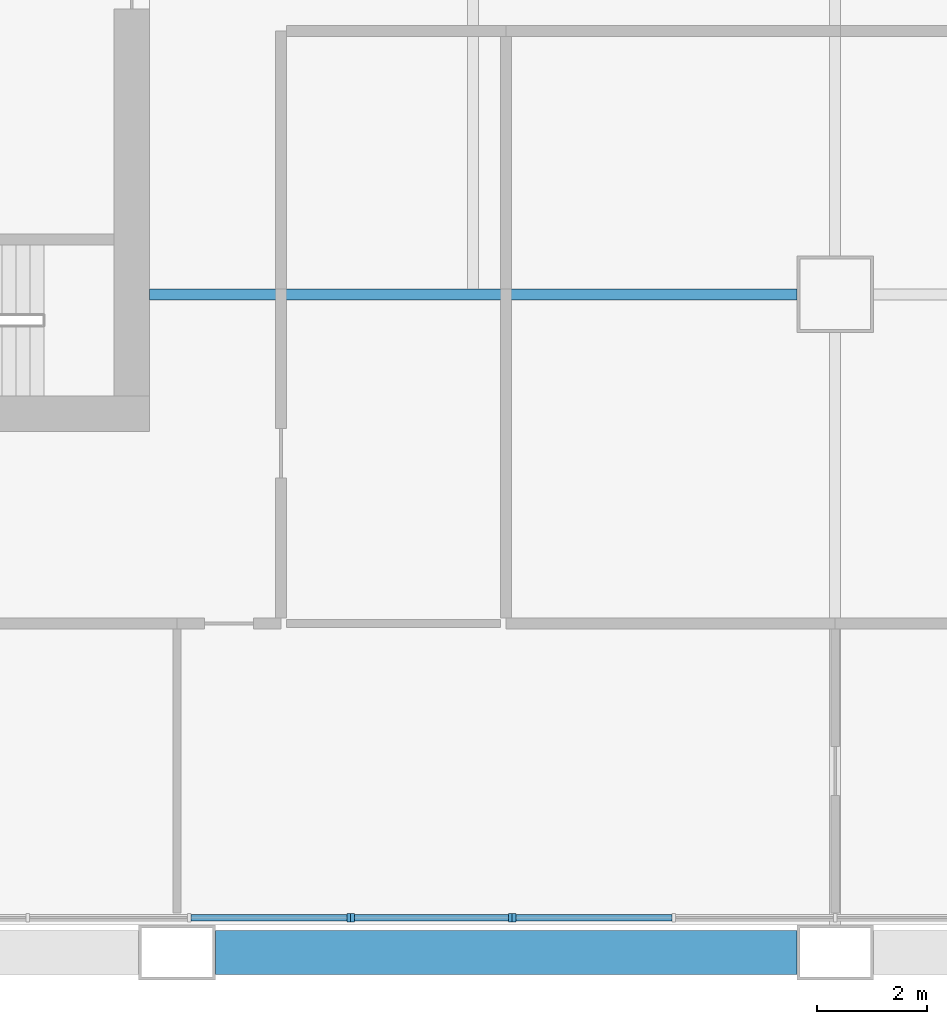
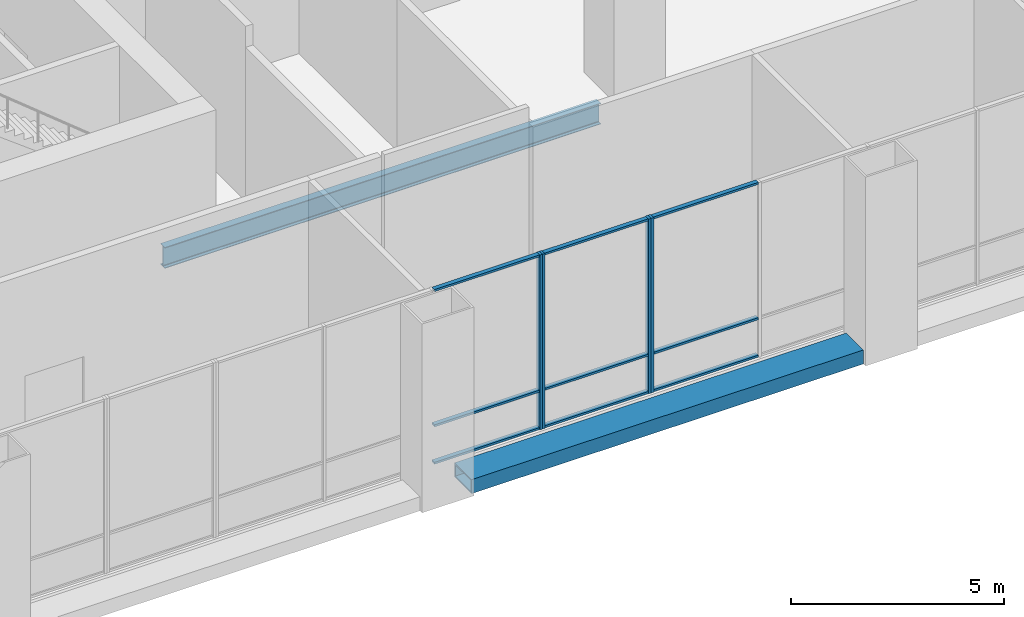
# One storey, part 3 of 20: 13 members, 2 beams, 3 elements without a shape of their own.
"""IFC4 building model written with IfcOpenShell, lengths in metres."""

from ifc_helpers import new_model, si_unit, direction, frame, origin, origin_2d, place, context, subcontext, project, spatial, rectangle, hollow_rectangle, i_section, extrude, material, material_profile, profile_set, type_object, element, aggregate, save


model = new_model("IFC4")

# Units and contexts
model_context = context("Model", 3, precision=1e-05, world=origin(), true_north=direction((0.0, 1.0)))
body_context = subcontext(model_context, "Body", "Model", "MODEL_VIEW")
ifc_project = project(units=[si_unit("LENGTHUNIT", "METRE"), si_unit("AREAUNIT", "SQUARE_METRE"), si_unit("VOLUMEUNIT", "CUBIC_METRE"), si_unit("PLANEANGLEUNIT", "RADIAN"), si_unit("MASSUNIT", "GRAM", prefix="KILO")], contexts=[model_context])

# Site, building, storey
site_placement = place(None, origin())
site = spatial("IfcSite", under=ifc_project, at=site_placement, CompositionType="ELEMENT")
building_placement = place(site_placement, origin())
building = spatial("IfcBuilding", under=site, at=building_placement, Name="Kitamizu Gate Tower and Museum", CompositionType="ELEMENT")
storey_placement = place(building_placement, frame((0.0, 0.0, 148.35009765625)))
storey = spatial("IfcBuildingStorey", under=building, at=storey_placement, Name="L39", CompositionType="ELEMENT", Elevation=148.35009765625)

# Beams
ifc_material_1 = material(Name="Steel SM490A bronze coated", Category="steel")
ifc_material_profile_1 = material_profile(ifc_material_1, hollow_rectangle(XDim=0.800048828125, YDim=0.39990234375, WallThickness=0.0400390625, at=origin_2d()), Name="BOX 800x400x40")
ifc_profile_set_1 = profile_set([ifc_material_profile_1], Name="Steel SM490A bronze coated")
beam_type_1 = type_object("IfcBeamType", Name="Exoskeleton spandrel beam SB1 BOX 800x400x40", PredefinedType="SPANDREL", material=ifc_profile_set_1)
beam_1_placement = place(storey_placement, frame((24.699951171875, 12.0, -0.2001953125), z_axis=(1.0, 0.0, 0.0), x_axis=(0.0, 1.0, 0.0)))
element("IfcBeam", 1, at=beam_1_placement, inside=storey, type_object=beam_type_1, Name="Exoskeleton spandrel beam south 24 L39", PredefinedType="SPANDREL", context=body_context, shape_type="SweptSolid", body=[
    extrude(hollow_rectangle(XDim=0.800048828125, YDim=0.39990234375, WallThickness=0.0400390625, at=origin_2d()), origin(), (0.0, 0.0, 1.0), 10.60009765625),
])
ifc_material_2 = material(Name="Steel SM490A", Category="steel")
ifc_material_profile_2 = material_profile(ifc_material_2, i_section(OverallWidth=0.199951171875, OverallDepth=0.60009765625, WebThickness=0.010986328125, FlangeThickness=0.01708984375, FilletRadius=0.02197265625, at=origin_2d()), Name="H-600x200x11x17")
ifc_profile_set_2 = profile_set([ifc_material_profile_2], Name="Steel SM490A")
beam_type_2 = type_object("IfcBeamType", Name="Floor girder FG1 H 600x200x11x17", PredefinedType="BEAM", material=ifc_profile_set_2)
beam_2_placement = place(storey_placement, frame((23.5, 24.0, -0.7001953125), z_axis=(1.0, 0.0, 0.0), x_axis=(0.0, 1.0, 0.0)))
element("IfcBeam", 2, at=beam_2_placement, inside=storey, type_object=beam_type_2, Name="Floor girder FG1 y24 L39", PredefinedType="BEAM", context=body_context, shape_type="SweptSolid", body=[
    extrude(i_section(OverallWidth=0.199951171875, OverallDepth=0.60009765625, WebThickness=0.010986328125, FlangeThickness=0.01708984375, FilletRadius=0.02197265625, at=origin_2d()), origin(), (0.0, 0.0, 1.0), 11.800048828125),
])

# Curtain wall, member
ifc_material_3 = material(Name="Bronze anodised aluminium frame, insulated panels", Category="aluminium")
curtain_wall_type_1 = type_object("IfcCurtainWallType", Name="CURTAIN WALL TYPE B SKY LOBBY INSULATED", PredefinedType="NOTDEFINED", material=ifc_material_3)
curtain_wall_1_placement = place(storey_placement, origin())
curtain_wall_1 = element("IfcCurtainWall", 3, at=curtain_wall_1_placement, inside=storey, type_object=curtain_wall_type_1, Name="Curtain wall CW-BI south L39 part 4", PredefinedType="NOTDEFINED")
ifc_material_4 = material(Name="Bronze anodised aluminium", Category="aluminium")
ifc_material_profile_3 = material_profile(ifc_material_4, rectangle(XDim=0.070068359375, YDim=0.14990234375, at=origin_2d()), Name="AL 70X150")
ifc_profile_set_3 = profile_set([ifc_material_profile_3], Name="Bronze anodised aluminium")
member_type_1 = type_object("IfcMemberType", Name="MULLION 70 X 150 TYPE B", PredefinedType="MULLION", material=ifc_profile_set_3)
member_1_placement = place(storey_placement, frame((27.133056640625, 12.635009765625, 0.0), z_axis=(0.0, 0.0, 1.0), x_axis=(1.0, 0.0, 0.0)))
member_1 = element("IfcMember", 4, at=member_1_placement, type_object=member_type_1, Name="CW-BI mullion 4", PredefinedType="MULLION", context=body_context, shape_type="SweptSolid", body=[
    extrude(rectangle(XDim=0.070068359375, YDim=0.14990234375, at=origin_2d()), origin(), (0.0, 0.0, 1.0), 5.0),
])

# Curtain wall, members
ifc_material_5 = material(Name="Bronze anodised aluminium frame, tinted triple glazing", Category="aluminium")
curtain_wall_type_2 = type_object("IfcCurtainWallType", Name="CURTAIN WALL TYPE B SKY LOBBY", PredefinedType="NOTDEFINED", material=ifc_material_5)
curtain_wall_2_placement = place(storey_placement, origin())
curtain_wall_2 = element("IfcCurtainWall", 5, at=curtain_wall_2_placement, inside=storey, type_object=curtain_wall_type_2, Name="Curtain wall CW-B south L39 part 5", PredefinedType="NOTDEFINED")
member_2_placement = place(storey_placement, frame((27.202880859375, 12.635009765625, 0.0), z_axis=(0.0, 0.0, 1.0), x_axis=(1.0, 0.0, 0.0)))
member_2 = element("IfcMember", 6, at=member_2_placement, type_object=member_type_1, Name="CW-B mullion 1", PredefinedType="MULLION", context=body_context, shape_type="SweptSolid", body=[
    extrude(rectangle(XDim=0.070068359375, YDim=0.14990234375, at=origin_2d()), origin(), (0.0, 0.0, 1.0), 5.0),
])
member_3_placement = place(storey_placement, frame((30.076904296875, 12.635009765625, 0.0), z_axis=(0.0, 0.0, 1.0), x_axis=(1.0, 0.0, 0.0)))
member_3 = element("IfcMember", 7, at=member_3_placement, type_object=member_type_1, Name="CW-B mullion 2", PredefinedType="MULLION", context=body_context, shape_type="SweptSolid", body=[
    extrude(rectangle(XDim=0.070068359375, YDim=0.14990234375, at=origin_2d()), origin(), (0.0, 0.0, 1.0), 5.0),
])

# Curtain wall, member
curtain_wall_3_placement = place(storey_placement, origin())
curtain_wall_3 = element("IfcCurtainWall", 8, at=curtain_wall_3_placement, inside=storey, type_object=curtain_wall_type_1, Name="Curtain wall CW-BI south L39 part 6", PredefinedType="NOTDEFINED")
member_4_placement = place(storey_placement, frame((30.14697265625, 12.635009765625, 0.0), z_axis=(0.0, 0.0, 1.0), x_axis=(1.0, 0.0, 0.0)))
member_4 = element("IfcMember", 9, at=member_4_placement, type_object=member_type_1, Name="CW-BI mullion 1", PredefinedType="MULLION", context=body_context, shape_type="SweptSolid", body=[
    extrude(rectangle(XDim=0.070068359375, YDim=0.14990234375, at=origin_2d()), origin(), (0.0, 0.0, 1.0), 5.0),
])

# Member
ifc_material_6 = material(Name="Bronze anodised aluminium", Category="aluminium")
ifc_material_profile_4 = material_profile(ifc_material_6, rectangle(XDim=0.1201171875, YDim=0.06005859375, at=origin_2d()), Name="AL 60X120")
ifc_profile_set_4 = profile_set([ifc_material_profile_4], Name="Bronze anodised aluminium")
member_type_2 = type_object("IfcMemberType", Name="TRANSOM 60 X 120 TYPE B", PredefinedType="USERDEFINED", material=ifc_profile_set_4)
member_5_placement = place(storey_placement, frame((24.259033203125, 12.635009765625, 0.02978515625), z_axis=(1.0, 0.0, 0.0), x_axis=(0.0, 1.0, 0.0)))
member_5 = element("IfcMember", 10, at=member_5_placement, type_object=member_type_2, Name="CW-BI transom 3.1", ObjectType="TRANSOM", PredefinedType="USERDEFINED", context=body_context, shape_type="SweptSolid", body=[
    extrude(rectangle(XDim=0.1201171875, YDim=0.06005859375, at=origin_2d()), origin(), (0.0, 0.0, 1.0), 2.8388671875),
])

member_6_placement = place(storey_placement, frame((24.259033203125, 12.635009765625, 1.099853515625), z_axis=(1.0, 0.0, 0.0), x_axis=(0.0, 1.0, 0.0)))
member_6 = element("IfcMember", 11, at=member_6_placement, type_object=member_type_2, Name="CW-BI transom 3.2", ObjectType="TRANSOM", PredefinedType="USERDEFINED", context=body_context, shape_type="SweptSolid", body=[
    extrude(rectangle(XDim=0.1201171875, YDim=0.06005859375, at=origin_2d()), origin(), (0.0, 0.0, 1.0), 2.8388671875),
])

member_7_placement = place(storey_placement, frame((24.259033203125, 12.635009765625, 4.969970703125), z_axis=(1.0, 0.0, 0.0), x_axis=(0.0, 1.0, 0.0)))
member_7 = element("IfcMember", 12, at=member_7_placement, type_object=member_type_2, Name="CW-BI transom 3.3", ObjectType="TRANSOM", PredefinedType="USERDEFINED", context=body_context, shape_type="SweptSolid", body=[
    extrude(rectangle(XDim=0.1201171875, YDim=0.06005859375, at=origin_2d()), origin(), (0.0, 0.0, 1.0), 2.8388671875),
])

aggregate(curtain_wall_1, [member_1, member_5, member_6, member_7])

member_8_placement = place(storey_placement, frame((27.238037109375, 12.635009765625, 0.02978515625), z_axis=(1.0, 0.0, 0.0), x_axis=(0.0, 1.0, 0.0)))
member_8 = element("IfcMember", 13, at=member_8_placement, type_object=member_type_2, Name="CW-B transom 1.1", ObjectType="TRANSOM", PredefinedType="USERDEFINED", context=body_context, shape_type="SweptSolid", body=[
    extrude(rectangle(XDim=0.1201171875, YDim=0.06005859375, at=origin_2d()), origin(), (0.0, 0.0, 1.0), 2.803955078125),
])

member_9_placement = place(storey_placement, frame((27.238037109375, 12.635009765625, 1.099853515625), z_axis=(1.0, 0.0, 0.0), x_axis=(0.0, 1.0, 0.0)))
member_9 = element("IfcMember", 14, at=member_9_placement, type_object=member_type_2, Name="CW-B transom 1.2", ObjectType="TRANSOM", PredefinedType="USERDEFINED", context=body_context, shape_type="SweptSolid", body=[
    extrude(rectangle(XDim=0.1201171875, YDim=0.06005859375, at=origin_2d()), origin(), (0.0, 0.0, 1.0), 2.803955078125),
])

member_10_placement = place(storey_placement, frame((27.238037109375, 12.635009765625, 4.969970703125), z_axis=(1.0, 0.0, 0.0), x_axis=(0.0, 1.0, 0.0)))
member_10 = element("IfcMember", 15, at=member_10_placement, type_object=member_type_2, Name="CW-B transom 1.3", ObjectType="TRANSOM", PredefinedType="USERDEFINED", context=body_context, shape_type="SweptSolid", body=[
    extrude(rectangle(XDim=0.1201171875, YDim=0.06005859375, at=origin_2d()), origin(), (0.0, 0.0, 1.0), 2.803955078125),
])

aggregate(curtain_wall_2, [member_2, member_3, member_8, member_9, member_10])

member_11_placement = place(storey_placement, frame((30.181884765625, 12.635009765625, 0.02978515625), z_axis=(1.0, 0.0, 0.0), x_axis=(0.0, 1.0, 0.0)))
member_11 = element("IfcMember", 16, at=member_11_placement, type_object=member_type_2, Name="CW-BI transom 1.1", ObjectType="TRANSOM", PredefinedType="USERDEFINED", context=body_context, shape_type="SweptSolid", body=[
    extrude(rectangle(XDim=0.1201171875, YDim=0.06005859375, at=origin_2d()), origin(), (0.0, 0.0, 1.0), 2.839111328125),
])

member_12_placement = place(storey_placement, frame((30.181884765625, 12.635009765625, 1.099853515625), z_axis=(1.0, 0.0, 0.0), x_axis=(0.0, 1.0, 0.0)))
member_12 = element("IfcMember", 17, at=member_12_placement, type_object=member_type_2, Name="CW-BI transom 1.2", ObjectType="TRANSOM", PredefinedType="USERDEFINED", context=body_context, shape_type="SweptSolid", body=[
    extrude(rectangle(XDim=0.1201171875, YDim=0.06005859375, at=origin_2d()), origin(), (0.0, 0.0, 1.0), 2.839111328125),
])

member_13_placement = place(storey_placement, frame((30.181884765625, 12.635009765625, 4.969970703125), z_axis=(1.0, 0.0, 0.0), x_axis=(0.0, 1.0, 0.0)))
member_13 = element("IfcMember", 18, at=member_13_placement, type_object=member_type_2, Name="CW-BI transom 1.3", ObjectType="TRANSOM", PredefinedType="USERDEFINED", context=body_context, shape_type="SweptSolid", body=[
    extrude(rectangle(XDim=0.1201171875, YDim=0.06005859375, at=origin_2d()), origin(), (0.0, 0.0, 1.0), 2.839111328125),
])

aggregate(curtain_wall_3, [member_4, member_11, member_12, member_13])

save(model, "model.ifc")
